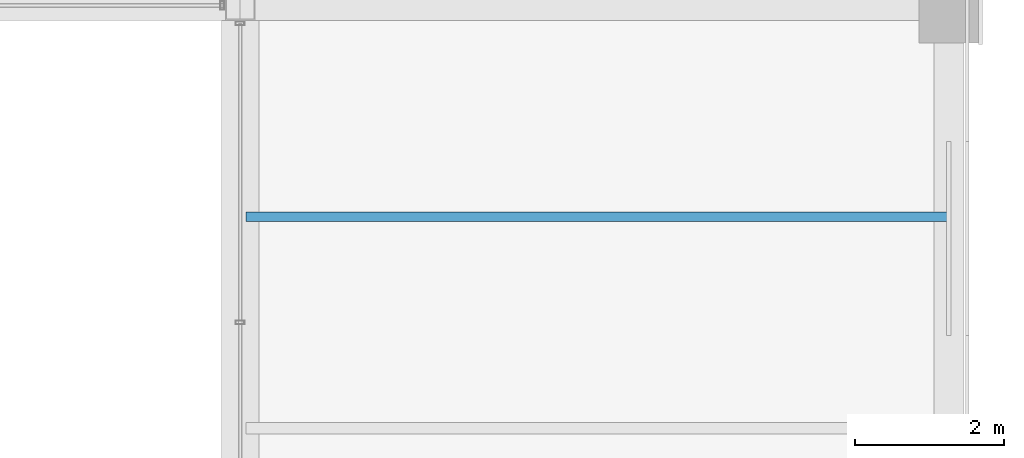
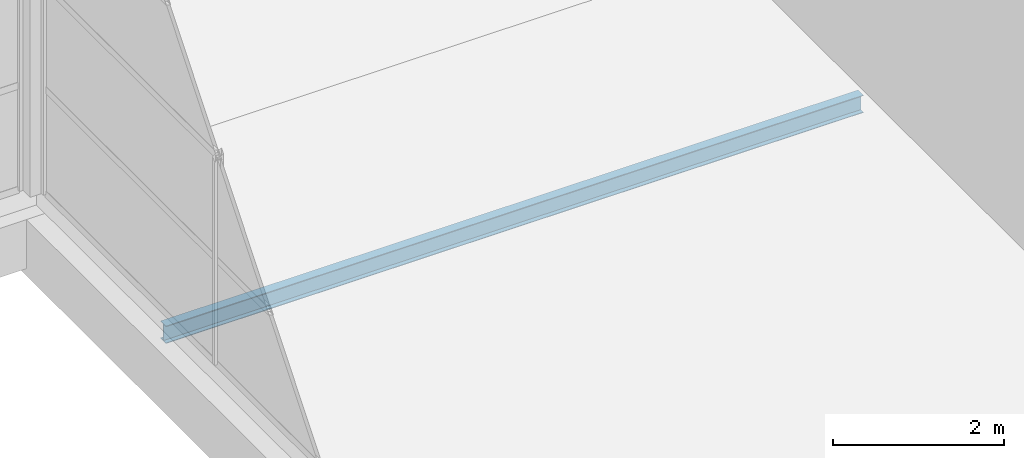
# One storey, part 78 of 112: 1 beam.
"""IFC4 building model written with IfcOpenShell, lengths in metres."""

from ifc_helpers import new_model, si_unit, direction, frame, origin, origin_2d, place, context, subcontext, project, spatial, i_section, extrude, material, material_profile, profile_set, type_object, element, save


model = new_model("IFC4")

# Units and contexts
model_context = context("Model", 3, precision=1e-05, world=origin(), true_north=direction((0.0, 1.0)))
body_context = subcontext(model_context, "Body", "Model", "MODEL_VIEW")
ifc_project = project(units=[si_unit("LENGTHUNIT", "METRE"), si_unit("AREAUNIT", "SQUARE_METRE"), si_unit("VOLUMEUNIT", "CUBIC_METRE"), si_unit("PLANEANGLEUNIT", "RADIAN"), si_unit("MASSUNIT", "GRAM", prefix="KILO")], contexts=[model_context])

# Site, building, storey
site_placement = place(None, origin())
site = spatial("IfcSite", under=ifc_project, at=site_placement, CompositionType="ELEMENT")
building_placement = place(site_placement, origin())
building = spatial("IfcBuilding", under=site, at=building_placement, Name="Solvikara Media Centre", CompositionType="ELEMENT")
storey_placement = place(building_placement, frame((0.0, 0.0, 5.39990234375)))
storey = spatial("IfcBuildingStorey", under=building, at=storey_placement, Name="L01", CompositionType="ELEMENT", Elevation=5.39990234375)

# Beam
ifc_material = material(Name="Steel S355JR", Category="steel")
ifc_material_profile = material_profile(ifc_material, i_section(OverallWidth=0.125, OverallDepth=0.25, WebThickness=0.006103515625, FlangeThickness=0.009033203125, at=origin_2d()), Name="WF 250x125x6x9")
ifc_profile_set = profile_set([ifc_material_profile], Name="Steel S355JR")
beam_type = type_object("IfcBeamType", Name="BM-24", PredefinedType="JOIST", material=ifc_profile_set)
beam_placement = place(storey_placement, frame((154.577880859375, 86.1669921875, -0.427001953125), z_axis=(1.0, 0.0, 0.0), x_axis=(0.0, 1.0, 0.0)))
element("IfcBeam", 1, at=beam_placement, inside=storey, type_object=beam_type, Name="J-L01-0812", PredefinedType="JOIST", context=body_context, shape_type="SweptSolid", body=[
    extrude(i_section(OverallWidth=0.125, OverallDepth=0.25, WebThickness=0.006103515625, FlangeThickness=0.009033203125, at=origin_2d()), origin(), (0.0, 0.0, 1.0), 9.422119140625),
])

save(model, "model.ifc")
